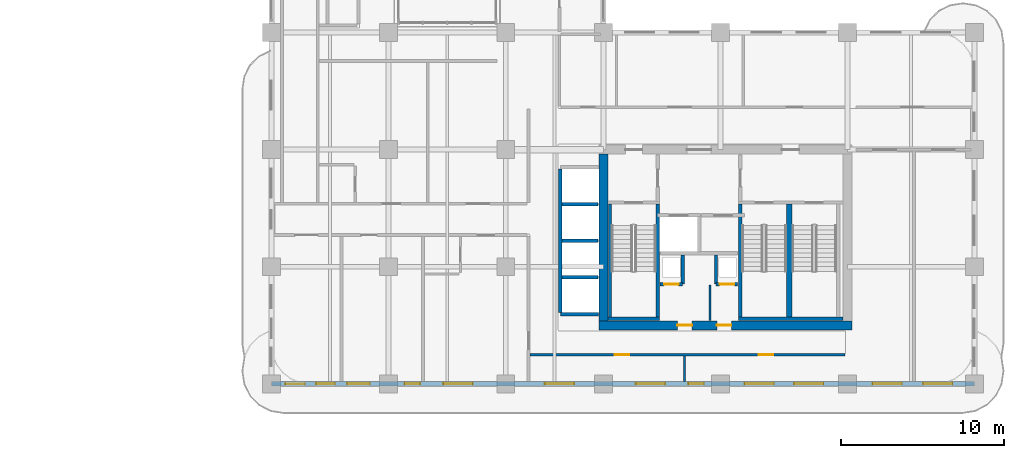
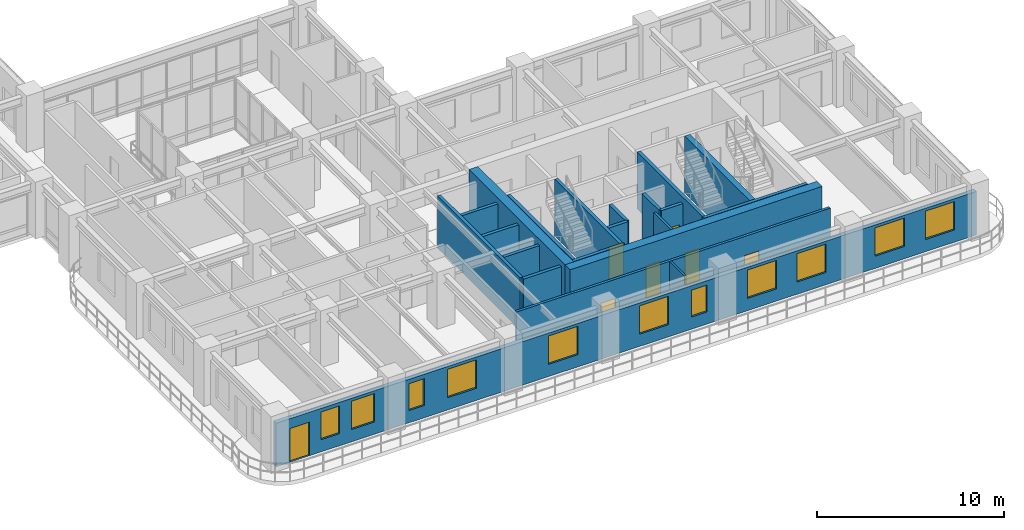
# One storey, part 10 of 19: 21 walls, 11 windows, 7 doors, 18 openings.
"""IFC4 building model written with IfcOpenShell, lengths in metres."""

from ifc_helpers import new_model, si_unit, derived_unit, direction, frame, frame_2d, origin, place, context, subcontext, project, spatial, rectangle, extrude, source, transform, mapped, material, layer, layer_set, type_object, type_shapes, element, fill, save


model = new_model("IFC4")

# Units and contexts
model_context = context("Model", 3, precision=1e-05, world=origin(), true_north=direction((0.0, 1.0)))
body_context = subcontext(model_context, "Body", "Model", "MODEL_VIEW")
ifc_project = project(units=[si_unit("LENGTHUNIT", "METRE"), si_unit("AREAUNIT", "SQUARE_METRE"), si_unit("VOLUMEUNIT", "CUBIC_METRE"), si_unit("PLANEANGLEUNIT", "RADIAN"), si_unit("MASSUNIT", "GRAM", prefix="KILO"), si_unit("THERMODYNAMICTEMPERATUREUNIT", "KELVIN"), si_unit("POWERUNIT", "WATT"), derived_unit("THERMALTRANSMITTANCEUNIT", [(si_unit("POWERUNIT", "WATT"), 1), (si_unit("AREAUNIT", "SQUARE_METRE"), -1), (si_unit("THERMODYNAMICTEMPERATUREUNIT", "KELVIN"), -1)])], contexts=[model_context])

# Site, building, storey
site_placement = place(None, origin())
site = spatial("IfcSite", under=ifc_project, at=site_placement, CompositionType="ELEMENT")
building_placement = place(site_placement, origin())
building = spatial("IfcBuilding", under=site, at=building_placement, Name="Zahravan Archway Hotel and Residences", CompositionType="ELEMENT")
storey_placement = place(building_placement, frame((0.0, 0.0, 102.699951171875)))
storey = spatial("IfcBuildingStorey", under=building, at=storey_placement, Name="L25", CompositionType="ELEMENT", Elevation=102.699951171875)

# Wall, openings, doors
ifc_material_1 = material(Name="Concrete C70/85", Category="concrete")
ifc_layer_1 = layer(ifc_material_1, 0.550048828125, Name="Concrete C70/85", Category="concrete")
ifc_layer_set_1 = layer_set([ifc_layer_1], Name="Concrete C70/85")
wall_type_1 = type_object("IfcWallType", Name="CW-CORE-550", PredefinedType="SHEAR", material=ifc_layer_set_1)
wall_1_placement = place(storey_placement, frame((34.52490234375, 3.60009765625, 0.0), z_axis=(0.0, 0.0, 1.0), x_axis=(1.0, 0.0, 0.0)))
wall_1 = element("IfcWall", 1, at=wall_1_placement, inside=storey, type_object=wall_type_1, Name="L25 Core A Shear S Wall 550 mm", PredefinedType="SHEAR", context=body_context, shape_type="SweptSolid", body=[
    extrude(rectangle(XDim=15.550048828125, YDim=0.550048828125, at=frame_2d((7.77490234375, 0.0))), origin(), (0.0, 0.0, 1.0), 3.699951171875),
])
opening_1_placement = place(wall_1_placement, frame((4.824951171875, 0.0, 0.0)))
opening_1 = element("IfcOpeningElement", 2, at=opening_1_placement, cuts=wall_1, Name="Opening FD-R1", PredefinedType="OPENING", context=body_context, shape_type="SweptSolid", body=[
    extrude(rectangle(XDim=0.89990234375, YDim=2.10009765625, at=frame_2d((0.449951171875, 1.050048828125))), frame((0.0, 0.28515625, 0.0), z_axis=(0.0, -1.0, 0.0), x_axis=(1.0, 0.0, 0.0)), (0.0, 0.0, 1.0), 0.570068359375),
])
opening_2_placement = place(wall_1_placement, frame((7.2451171875, 0.0, 0.0)))
opening_2 = element("IfcOpeningElement", 3, at=opening_2_placement, cuts=wall_1, Name="Opening FD-R1", PredefinedType="OPENING", context=body_context, shape_type="SweptSolid", body=[
    extrude(rectangle(XDim=0.89990234375, YDim=2.10009765625, at=frame_2d((0.449951171875, 1.050048828125))), frame((0.0, 0.28515625, 0.0), z_axis=(0.0, -1.0, 0.0), x_axis=(1.0, 0.0, 0.0)), (0.0, 0.0, 1.0), 0.570068359375),
])
ifc_material_2 = material(Name="Fire-Rated Painted Steel", Category="steel")
door_type_1 = type_object("IfcDoorType", Name="FD-RISER-900", OperationType="NOTDEFINED", PredefinedType="DOOR", material=ifc_material_2)
shared_shape_1 = source(origin(), body_context, "Body", "SweptSolid", [
    extrude(rectangle(XDim=0.89990234375, YDim=2.10009765625, at=frame_2d((0.449951171875, 1.050048828125))), frame((0.0, 0.02490234375, 0.0), z_axis=(0.0, -1.0, 0.0), x_axis=(1.0, 0.0, 0.0)), (0.0, 0.0, 1.0), 0.050048828125),
])
type_shapes(door_type_1, [shared_shape_1])
door_1_placement = place(opening_1_placement, origin())
door_1 = element("IfcDoor", 4, at=door_1_placement, inside=storey, type_object=door_type_1, Name="L25 Service Pantry Door", OperationType="SINGLE_SWING_LEFT", OverallHeight=2.10009765625, OverallWidth=0.89990234375, PredefinedType="DOOR", context=body_context, shape_type="MappedRepresentation", body=[
    mapped(shared_shape_1, transform((0.0, 0.0, 0.0), scale=1.0)),
])
fill(opening_1, door_1)
door_2_placement = place(opening_2_placement, origin())
door_2 = element("IfcDoor", 5, at=door_2_placement, inside=storey, type_object=door_type_1, Name="L25 Fibre ELV Riser Door", OperationType="SINGLE_SWING_RIGHT", OverallHeight=2.10009765625, OverallWidth=0.89990234375, PredefinedType="DOOR", context=body_context, shape_type="MappedRepresentation", body=[
    mapped(shared_shape_1, transform((0.0, 0.0, 0.0), scale=1.0)),
])
fill(opening_2, door_2)

# Wall
wall_2_placement = place(storey_placement, frame((34.800048828125, 3.875, 0.0), z_axis=(0.0, 0.0, 1.0), x_axis=(0.0, 1.0, 0.0)))
element("IfcWall", 6, at=wall_2_placement, inside=storey, type_object=wall_type_1, Name="L25 Core A Shear W Wall 550 mm", PredefinedType="SHEAR", context=body_context, shape_type="SweptSolid", body=[
    extrude(rectangle(XDim=10.25, YDim=0.550048828125, at=frame_2d((5.125, 0.0))), origin(), (0.0, 0.0, 1.0), 3.699951171875),
])

# Wall, openings, door, windows
ifc_material_3 = material(Name="Honed Red-Ochre Sandstone & Insulated Block", Category="masonry")
ifc_layer_2 = layer(ifc_material_3, 0.280029296875, Name="Honed Red-Ochre Sandstone & Insulated Block", Category="masonry")
ifc_layer_set_2 = layer_set([ifc_layer_2], Name="Honed Red-Ochre Sandstone & Insulated Block")
wall_type_2 = type_object("IfcWallType", Name="EW-LOG-280", PredefinedType="SOLIDWALL", material=ifc_layer_set_2)
wall_3_placement = place(storey_placement, frame((14.39990234375, 0.0, 0.0), z_axis=(0.0, 0.0, 1.0), x_axis=(1.0, 0.0, 0.0)))
wall_3 = element("IfcWall", 7, at=wall_3_placement, inside=storey, type_object=wall_type_2, Name="L25 Exterior Sandstone Wall WA-S", PredefinedType="SOLIDWALL", context=body_context, shape_type="SweptSolid", body=[
    extrude(rectangle(XDim=43.2001953125, YDim=0.280029296875, at=frame_2d((21.60009765625, 0.0))), origin(), (0.0, 0.0, 1.0), 2.8349609375),
])
opening_3_placement = place(wall_3_placement, frame((0.85009765625, 0.0, 0.0)))
opening_3 = element("IfcOpeningElement", 8, at=opening_3_placement, cuts=wall_3, Name="Opening ED-BL1", PredefinedType="OPENING", context=body_context, shape_type="SweptSolid", body=[
    extrude(rectangle(XDim=1.199951171875, YDim=2.199951171875, at=frame_2d((0.60009765625, 1.10009765625))), frame((0.0, 0.14990234375, 0.0), z_axis=(0.0, -1.0, 0.0), x_axis=(1.0, 0.0, 0.0)), (0.0, 0.0, 1.0), 0.300048828125),
])
opening_4_placement = place(wall_3_placement, frame((2.74609375, 0.0, 0.800048828125)))
opening_4 = element("IfcOpeningElement", 9, at=opening_4_placement, cuts=wall_3, Name="Opening W-05", PredefinedType="OPENING", context=body_context, shape_type="SweptSolid", body=[
    extrude(rectangle(XDim=1.14990234375, YDim=1.800048828125, at=frame_2d((0.574951171875, 0.89990234375))), frame((0.0, 0.14990234375, 0.0), z_axis=(0.0, -1.0, 0.0), x_axis=(1.0, 0.0, 0.0)), (0.0, 0.0, 1.0), 0.300048828125),
])
opening_5_placement = place(wall_3_placement, frame((4.654052734375, 0.0, 0.800048828125)))
opening_5 = element("IfcOpeningElement", 10, at=opening_5_placement, cuts=wall_3, Name="Opening W-03", PredefinedType="OPENING", context=body_context, shape_type="SweptSolid", body=[
    extrude(rectangle(XDim=1.39990234375, YDim=1.85009765625, at=frame_2d((0.699951171875, 0.925048828125))), frame((0.0, 0.14990234375, 0.0), z_axis=(0.0, -1.0, 0.0), x_axis=(1.0, 0.0, 0.0)), (0.0, 0.0, 1.0), 0.300048828125),
])
opening_6_placement = place(wall_3_placement, frame((8.180908203125, 0.0, 0.800048828125)))
opening_6 = element("IfcOpeningElement", 11, at=opening_6_placement, cuts=wall_3, Name="Opening W-04", PredefinedType="OPENING", context=body_context, shape_type="SweptSolid", body=[
    extrude(rectangle(XDim=0.949951171875, YDim=1.75, at=frame_2d((0.47509765625, 0.875))), frame((0.0, 0.14990234375, 0.0), z_axis=(0.0, -1.0, 0.0), x_axis=(1.0, 0.0, 0.0)), (0.0, 0.0, 1.0), 0.300048828125),
])
opening_7_placement = place(wall_3_placement, frame((10.56396484375, 0.0, 0.800048828125)))
opening_7 = element("IfcOpeningElement", 12, at=opening_7_placement, cuts=wall_3, Name="Opening W-02", PredefinedType="OPENING", context=body_context, shape_type="SweptSolid", body=[
    extrude(rectangle(XDim=1.800048828125, YDim=1.85009765625, at=frame_2d((0.89990234375, 0.925048828125))), frame((0.0, 0.14990234375, 0.0), z_axis=(0.0, -1.0, 0.0), x_axis=(1.0, 0.0, 0.0)), (0.0, 0.0, 1.0), 0.300048828125),
])
opening_8_placement = place(wall_3_placement, frame((16.803955078125, 0.0, 0.800048828125)))
opening_8 = element("IfcOpeningElement", 13, at=opening_8_placement, cuts=wall_3, Name="Opening W-02", PredefinedType="OPENING", context=body_context, shape_type="SweptSolid", body=[
    extrude(rectangle(XDim=1.800048828125, YDim=1.85009765625, at=frame_2d((0.89990234375, 0.925048828125))), frame((0.0, 0.14990234375, 0.0), z_axis=(0.0, -1.0, 0.0), x_axis=(1.0, 0.0, 0.0)), (0.0, 0.0, 1.0), 0.300048828125),
])
opening_9_placement = place(wall_3_placement, frame((22.39599609375, 0.0, 0.800048828125)))
opening_9 = element("IfcOpeningElement", 14, at=opening_9_placement, cuts=wall_3, Name="Opening W-02", PredefinedType="OPENING", context=body_context, shape_type="SweptSolid", body=[
    extrude(rectangle(XDim=1.800048828125, YDim=1.85009765625, at=frame_2d((0.89990234375, 0.925048828125))), frame((0.0, 0.14990234375, 0.0), z_axis=(0.0, -1.0, 0.0), x_axis=(1.0, 0.0, 0.0)), (0.0, 0.0, 1.0), 0.300048828125),
])
opening_10_placement = place(wall_3_placement, frame((25.62890625, 0.0, 0.800048828125)))
opening_10 = element("IfcOpeningElement", 15, at=opening_10_placement, cuts=wall_3, Name="Opening W-04", PredefinedType="OPENING", context=body_context, shape_type="SweptSolid", body=[
    extrude(rectangle(XDim=0.949951171875, YDim=1.75, at=frame_2d((0.47509765625, 0.875))), frame((0.0, 0.14990234375, 0.0), z_axis=(0.0, -1.0, 0.0), x_axis=(1.0, 0.0, 0.0)), (0.0, 0.0, 1.0), 0.300048828125),
])
opening_11_placement = place(wall_3_placement, frame((29.074951171875, 0.0, 0.800048828125)))
opening_11 = element("IfcOpeningElement", 16, at=opening_11_placement, cuts=wall_3, Name="Opening W-02", PredefinedType="OPENING", context=body_context, shape_type="SweptSolid", body=[
    extrude(rectangle(XDim=1.800048828125, YDim=1.85009765625, at=frame_2d((0.89990234375, 0.925048828125))), frame((0.0, 0.14990234375, 0.0), z_axis=(0.0, -1.0, 0.0), x_axis=(1.0, 0.0, 0.0)), (0.0, 0.0, 1.0), 0.300048828125),
])
opening_12_placement = place(wall_3_placement, frame((32.125, 0.0, 0.800048828125)))
opening_12 = element("IfcOpeningElement", 17, at=opening_12_placement, cuts=wall_3, Name="Opening W-02", PredefinedType="OPENING", context=body_context, shape_type="SweptSolid", body=[
    extrude(rectangle(XDim=1.800048828125, YDim=1.85009765625, at=frame_2d((0.89990234375, 0.925048828125))), frame((0.0, 0.14990234375, 0.0), z_axis=(0.0, -1.0, 0.0), x_axis=(1.0, 0.0, 0.0)), (0.0, 0.0, 1.0), 0.300048828125),
])
opening_13_placement = place(wall_3_placement, frame((36.946044921875, 0.0, 0.800048828125)))
opening_13 = element("IfcOpeningElement", 18, at=opening_13_placement, cuts=wall_3, Name="Opening W-02", PredefinedType="OPENING", context=body_context, shape_type="SweptSolid", body=[
    extrude(rectangle(XDim=1.800048828125, YDim=1.85009765625, at=frame_2d((0.89990234375, 0.925048828125))), frame((0.0, 0.14990234375, 0.0), z_axis=(0.0, -1.0, 0.0), x_axis=(1.0, 0.0, 0.0)), (0.0, 0.0, 1.0), 0.300048828125),
])
opening_14_placement = place(wall_3_placement, frame((40.053955078125, 0.0, 0.800048828125)))
opening_14 = element("IfcOpeningElement", 19, at=opening_14_placement, cuts=wall_3, Name="Opening W-02", PredefinedType="OPENING", context=body_context, shape_type="SweptSolid", body=[
    extrude(rectangle(XDim=1.800048828125, YDim=1.85009765625, at=frame_2d((0.89990234375, 0.925048828125))), frame((0.0, 0.14990234375, 0.0), z_axis=(0.0, -1.0, 0.0), x_axis=(1.0, 0.0, 0.0)), (0.0, 0.0, 1.0), 0.300048828125),
])
ifc_material_4 = material(Name="Bronze-Anodized Glazed Aluminium", Category="aluminium")
door_type_2 = type_object("IfcDoorType", Name="ED-BALC-1200", OperationType="SLIDING_TO_LEFT", PredefinedType="DOOR", material=ifc_material_4)
shared_shape_2 = source(origin(), body_context, "Body", "SweptSolid", [
    extrude(rectangle(XDim=1.199951171875, YDim=2.199951171875, at=frame_2d((0.60009765625, 1.10009765625))), frame((0.0, 0.02490234375, 0.0), z_axis=(0.0, -1.0, 0.0), x_axis=(1.0, 0.0, 0.0)), (0.0, 0.0, 1.0), 0.050048828125),
])
type_shapes(door_type_2, [shared_shape_2])
door_3_placement = place(opening_3_placement, origin())
door_3 = element("IfcDoor", 20, at=door_3_placement, inside=storey, type_object=door_type_2, Name="L25 Outdoor Access Sliding Door (SLB-BAL-L25-SA)", OperationType="SLIDING_TO_LEFT", OverallHeight=2.199951171875, OverallWidth=1.199951171875, PredefinedType="DOOR", context=body_context, shape_type="MappedRepresentation", body=[
    mapped(shared_shape_2, transform((0.0, 0.0, 0.0), scale=1.0)),
])
fill(opening_3, door_3)
ifc_material_5 = material(Name="Bronze-Anodized Thermal-Break Aluminium & Low-E Glass", Category="aluminium")
window_type_1 = type_object("IfcWindowType", Name="WIN-TWR-1400", PartitioningType="SINGLE_PANEL", PredefinedType="WINDOW", material=ifc_material_5)
shared_shape_3 = source(origin(), body_context, "Body", "SweptSolid", [
    extrude(rectangle(XDim=1.39990234375, YDim=1.85009765625, at=frame_2d((0.699951171875, 0.925048828125))), frame((0.0, 0.030029296875, 0.0), z_axis=(0.0, -1.0, 0.0), x_axis=(1.0, 0.0, 0.0)), (0.0, 0.0, 1.0), 0.06005859375),
])
type_shapes(window_type_1, [shared_shape_3])
window_1_placement = place(opening_5_placement, origin())
window_1 = element("IfcWindow", 21, at=window_1_placement, inside=storey, type_object=window_type_1, Name="L25 Loggia Window 02", OverallHeight=1.85009765625, OverallWidth=1.39990234375, PartitioningType="SINGLE_PANEL", PredefinedType="WINDOW", context=body_context, shape_type="MappedRepresentation", body=[
    mapped(shared_shape_3, transform((0.0, 0.0, 0.0), scale=1.0)),
])
fill(opening_5, window_1)
window_type_2 = type_object("IfcWindowType", Name="WIN-NAR-950", PartitioningType="SINGLE_PANEL", PredefinedType="WINDOW", material=ifc_material_5)
shared_shape_4 = source(origin(), body_context, "Body", "SweptSolid", [
    extrude(rectangle(XDim=0.949951171875, YDim=1.75, at=frame_2d((0.47509765625, 0.875))), frame((0.0, 0.030029296875, 0.0), z_axis=(0.0, -1.0, 0.0), x_axis=(1.0, 0.0, 0.0)), (0.0, 0.0, 1.0), 0.06005859375),
])
type_shapes(window_type_2, [shared_shape_4])
window_2_placement = place(opening_6_placement, origin())
window_2 = element("IfcWindow", 22, at=window_2_placement, inside=storey, type_object=window_type_2, Name="L25 Loggia Window 03", OverallHeight=1.75, OverallWidth=0.949951171875, PartitioningType="SINGLE_PANEL", PredefinedType="WINDOW", context=body_context, shape_type="MappedRepresentation", body=[
    mapped(shared_shape_4, transform((0.0, 0.0, 0.0), scale=1.0)),
])
fill(opening_6, window_2)
window_3_placement = place(opening_10_placement, origin())
window_3 = element("IfcWindow", 23, at=window_3_placement, inside=storey, type_object=window_type_2, Name="L25 Loggia Window 07", OverallHeight=1.75, OverallWidth=0.949951171875, PartitioningType="SINGLE_PANEL", PredefinedType="WINDOW", context=body_context, shape_type="MappedRepresentation", body=[
    mapped(shared_shape_4, transform((0.0, 0.0, 0.0), scale=1.0)),
])
fill(opening_10, window_3)
window_type_3 = type_object("IfcWindowType", Name="WIN-TWR-1800", PartitioningType="DOUBLE_PANEL_VERTICAL", PredefinedType="WINDOW", material=ifc_material_5)
shared_shape_5 = source(origin(), body_context, "Body", "SweptSolid", [
    extrude(rectangle(XDim=1.800048828125, YDim=1.85009765625, at=frame_2d((0.89990234375, 0.925048828125))), frame((0.0, 0.030029296875, 0.0), z_axis=(0.0, -1.0, 0.0), x_axis=(1.0, 0.0, 0.0)), (0.0, 0.0, 1.0), 0.06005859375),
])
type_shapes(window_type_3, [shared_shape_5])
window_4_placement = place(opening_7_placement, origin())
window_4 = element("IfcWindow", 24, at=window_4_placement, inside=storey, type_object=window_type_3, Name="L25 Loggia Window 04", OverallHeight=1.85009765625, OverallWidth=1.800048828125, PartitioningType="DOUBLE_PANEL_VERTICAL", PredefinedType="WINDOW", context=body_context, shape_type="MappedRepresentation", body=[
    mapped(shared_shape_5, transform((0.0, 0.0, 0.0), scale=1.0)),
])
fill(opening_7, window_4)
window_5_placement = place(opening_8_placement, origin())
window_5 = element("IfcWindow", 25, at=window_5_placement, inside=storey, type_object=window_type_3, Name="L25 Loggia Window 05", OverallHeight=1.85009765625, OverallWidth=1.800048828125, PartitioningType="DOUBLE_PANEL_VERTICAL", PredefinedType="WINDOW", context=body_context, shape_type="MappedRepresentation", body=[
    mapped(shared_shape_5, transform((0.0, 0.0, 0.0), scale=1.0)),
])
fill(opening_8, window_5)
window_6_placement = place(opening_9_placement, origin())
window_6 = element("IfcWindow", 26, at=window_6_placement, inside=storey, type_object=window_type_3, Name="L25 Loggia Window 06", OverallHeight=1.85009765625, OverallWidth=1.800048828125, PartitioningType="DOUBLE_PANEL_VERTICAL", PredefinedType="WINDOW", context=body_context, shape_type="MappedRepresentation", body=[
    mapped(shared_shape_5, transform((0.0, 0.0, 0.0), scale=1.0)),
])
fill(opening_9, window_6)
window_7_placement = place(opening_11_placement, origin())
window_7 = element("IfcWindow", 27, at=window_7_placement, inside=storey, type_object=window_type_3, Name="L25 Loggia Window 08", OverallHeight=1.85009765625, OverallWidth=1.800048828125, PartitioningType="DOUBLE_PANEL_VERTICAL", PredefinedType="WINDOW", context=body_context, shape_type="MappedRepresentation", body=[
    mapped(shared_shape_5, transform((0.0, 0.0, 0.0), scale=1.0)),
])
fill(opening_11, window_7)
window_8_placement = place(opening_12_placement, origin())
window_8 = element("IfcWindow", 28, at=window_8_placement, inside=storey, type_object=window_type_3, Name="L25 Loggia Window 09", OverallHeight=1.85009765625, OverallWidth=1.800048828125, PartitioningType="DOUBLE_PANEL_VERTICAL", PredefinedType="WINDOW", context=body_context, shape_type="MappedRepresentation", body=[
    mapped(shared_shape_5, transform((0.0, 0.0, 0.0), scale=1.0)),
])
fill(opening_12, window_8)
window_9_placement = place(opening_13_placement, origin())
window_9 = element("IfcWindow", 29, at=window_9_placement, inside=storey, type_object=window_type_3, Name="L25 Loggia Window 10", OverallHeight=1.85009765625, OverallWidth=1.800048828125, PartitioningType="DOUBLE_PANEL_VERTICAL", PredefinedType="WINDOW", context=body_context, shape_type="MappedRepresentation", body=[
    mapped(shared_shape_5, transform((0.0, 0.0, 0.0), scale=1.0)),
])
fill(opening_13, window_9)
window_10_placement = place(opening_14_placement, origin())
window_10 = element("IfcWindow", 30, at=window_10_placement, inside=storey, type_object=window_type_3, Name="L25 Loggia Window 11", OverallHeight=1.85009765625, OverallWidth=1.800048828125, PartitioningType="DOUBLE_PANEL_VERTICAL", PredefinedType="WINDOW", context=body_context, shape_type="MappedRepresentation", body=[
    mapped(shared_shape_5, transform((0.0, 0.0, 0.0), scale=1.0)),
])
fill(opening_14, window_10)
window_type_4 = type_object("IfcWindowType", Name="WIN-TWR-1150", PartitioningType="SINGLE_PANEL", PredefinedType="WINDOW", material=ifc_material_5)
shared_shape_6 = source(origin(), body_context, "Body", "SweptSolid", [
    extrude(rectangle(XDim=1.14990234375, YDim=1.800048828125, at=frame_2d((0.574951171875, 0.89990234375))), frame((0.0, 0.030029296875, 0.0), z_axis=(0.0, -1.0, 0.0), x_axis=(1.0, 0.0, 0.0)), (0.0, 0.0, 1.0), 0.06005859375),
])
type_shapes(window_type_4, [shared_shape_6])
window_11_placement = place(opening_4_placement, origin())
window_11 = element("IfcWindow", 31, at=window_11_placement, inside=storey, type_object=window_type_4, Name="L25 Loggia Window 01", OverallHeight=1.800048828125, OverallWidth=1.14990234375, PartitioningType="SINGLE_PANEL", PredefinedType="WINDOW", context=body_context, shape_type="MappedRepresentation", body=[
    mapped(shared_shape_6, transform((0.0, 0.0, 0.0), scale=1.0)),
])
fill(opening_4, window_11)

# Wall, openings, doors
ifc_material_6 = material(Name="Fire-Rated Gypsum & Concrete Block", Category="concrete")
ifc_layer_3 = layer(ifc_material_6, 0.159912109375, Name="Fire-Rated Gypsum & Concrete Block", Category="concrete")
ifc_layer_set_3 = layer_set([ifc_layer_3], Name="Fire-Rated Gypsum & Concrete Block")
wall_type_3 = type_object("IfcWallType", Name="PW-CORR-160", PredefinedType="PARTITIONING", material=ifc_layer_set_3)
wall_4_placement = place(storey_placement, frame((30.2900390625, 1.800048828125, 0.0), z_axis=(0.0, 0.0, 1.0), x_axis=(1.0, 0.0, 0.0)))
wall_4 = element("IfcWall", 32, at=wall_4_placement, inside=storey, type_object=wall_type_3, Name="L25 Partition WA-SRS", PredefinedType="PARTITIONING", context=body_context, shape_type="SweptSolid", body=[
    extrude(rectangle(XDim=19.369873046875, YDim=0.159912109375, at=frame_2d((9.68505859375, 0.0))), origin(), (0.0, 0.0, 1.0), 3.400146484375),
])
opening_15_placement = place(wall_4_placement, frame((5.213134765625, 0.0, 0.0)))
opening_15 = element("IfcOpeningElement", 33, at=opening_15_placement, cuts=wall_4, Name="Opening D-I2", PredefinedType="OPENING", context=body_context, shape_type="SweptSolid", body=[
    extrude(rectangle(XDim=0.89990234375, YDim=2.14990234375, at=frame_2d((0.449951171875, 1.074951171875))), frame((0.0, 0.08984375, 0.0), z_axis=(0.0, -1.0, 0.0), x_axis=(1.0, 0.0, 0.0)), (0.0, 0.0, 1.0), 0.179931640625),
])
opening_16_placement = place(wall_4_placement, frame((14.06005859375, 0.0, 0.0)))
opening_16 = element("IfcOpeningElement", 34, at=opening_16_placement, cuts=wall_4, Name="Opening D-I2", PredefinedType="OPENING", context=body_context, shape_type="SweptSolid", body=[
    extrude(rectangle(XDim=0.89990234375, YDim=2.14990234375, at=frame_2d((0.449951171875, 1.074951171875))), frame((0.0, 0.08984375, 0.0), z_axis=(0.0, -1.0, 0.0), x_axis=(1.0, 0.0, 0.0)), (0.0, 0.0, 1.0), 0.179931640625),
])
ifc_material_7 = material(Name="Hardwood Veneer Timber", Category="wood")
door_type_3 = type_object("IfcDoorType", Name="ID-INT-900", OperationType="NOTDEFINED", PredefinedType="DOOR", material=ifc_material_7)
shared_shape_7 = source(origin(), body_context, "Body", "SweptSolid", [
    extrude(rectangle(XDim=0.89990234375, YDim=2.14990234375, at=frame_2d((0.449951171875, 1.074951171875))), frame((0.0, 0.02490234375, 0.0), z_axis=(0.0, -1.0, 0.0), x_axis=(1.0, 0.0, 0.0)), (0.0, 0.0, 1.0), 0.050048828125),
])
type_shapes(door_type_3, [shared_shape_7])
door_4_placement = place(opening_15_placement, origin())
door_4 = element("IfcDoor", 35, at=door_4_placement, inside=storey, type_object=door_type_3, Name="L25 South Study Door", OperationType="SINGLE_SWING_LEFT", OverallHeight=2.14990234375, OverallWidth=0.89990234375, PredefinedType="DOOR", context=body_context, shape_type="MappedRepresentation", body=[
    mapped(shared_shape_7, transform((0.0, 0.0, 0.0), scale=1.0)),
])
fill(opening_15, door_4)
door_5_placement = place(opening_16_placement, origin())
door_5 = element("IfcDoor", 36, at=door_5_placement, inside=storey, type_object=door_type_3, Name="L25 South Pantry Door", OperationType="SINGLE_SWING_RIGHT", OverallHeight=2.14990234375, OverallWidth=0.89990234375, PredefinedType="DOOR", context=body_context, shape_type="MappedRepresentation", body=[
    mapped(shared_shape_7, transform((0.0, 0.0, 0.0), scale=1.0)),
])
fill(opening_16, door_5)

# Wall
ifc_material_8 = material(Name="Acoustic Stud Partition")
ifc_layer_4 = layer(ifc_material_8, 0.125, Name="Acoustic Stud Partition")
ifc_layer_set_4 = layer_set([ifc_layer_4], Name="Acoustic Stud Partition")
wall_type_4 = type_object("IfcWallType", Name="PW-INT-125", PredefinedType="PARTITIONING", material=ifc_layer_set_4)
wall_5_placement = place(storey_placement, frame((39.800048828125, 0.14794921875, 0.0), z_axis=(0.0, 0.0, 1.0), x_axis=(0.0, 1.0, 0.0)))
element("IfcWall", 37, at=wall_5_placement, inside=storey, type_object=wall_type_4, Name="L25 Partition S-DIV1", PredefinedType="PARTITIONING", context=body_context, shape_type="SweptSolid", body=[
    extrude(rectangle(XDim=1.56201171875, YDim=0.125, at=frame_2d((0.781005859375, 0.0))), origin(), (0.0, 0.0, 1.0), 3.400146484375),
])

# Wall, opening, door
ifc_layer_5 = layer(ifc_material_6, 0.199951171875, Name="Fire-Rated Gypsum & Concrete Block", Category="concrete")
ifc_layer_set_5 = layer_set([ifc_layer_5], Name="Fire-Rated Gypsum & Concrete Block")
wall_type_5 = type_object("IfcWallType", Name="PW-SHAFT-200", PredefinedType="PARTITIONING", material=ifc_layer_set_5)
wall_6_placement = place(storey_placement, frame((38.2900390625, 6.1201171875, 0.0), z_axis=(0.0, 0.0, 1.0), x_axis=(1.0, 0.0, 0.0)))
wall_6 = element("IfcWall", 38, at=wall_6_placement, inside=storey, type_object=wall_type_5, Name="L25 Partition CA-SMKS", PredefinedType="PARTITIONING", context=body_context, shape_type="SweptSolid", body=[
    extrude(rectangle(XDim=1.3798828125, YDim=0.199951171875, at=frame_2d((0.68994140625, 0.0))), origin(), (0.0, 0.0, 1.0), 3.400146484375),
])
opening_17_placement = place(wall_6_placement, frame((0.239990234375, 0.0, 0.0)))
opening_17 = element("IfcOpeningElement", 39, at=opening_17_placement, cuts=wall_6, Name="Opening FD-R1", PredefinedType="OPENING", context=body_context, shape_type="SweptSolid", body=[
    extrude(rectangle(XDim=0.89990234375, YDim=2.10009765625, at=frame_2d((0.449951171875, 1.050048828125))), frame((0.0, 0.10986328125, 0.0), z_axis=(0.0, -1.0, 0.0), x_axis=(1.0, 0.0, 0.0)), (0.0, 0.0, 1.0), 0.219970703125),
])
door_6_placement = place(opening_17_placement, origin())
door_6 = element("IfcDoor", 40, at=door_6_placement, inside=storey, type_object=door_type_1, Name="L25 Smoke Riser Access Door", OperationType="SINGLE_SWING_LEFT", OverallHeight=2.10009765625, OverallWidth=0.89990234375, PredefinedType="DOOR", context=body_context, shape_type="MappedRepresentation", body=[
    mapped(shared_shape_1, transform((0.0, 0.0, 0.0), scale=1.0)),
])
fill(opening_17, door_6)

# Wall
wall_7_placement = place(storey_placement, frame((39.679931640625, 6.1298828125, 0.0), z_axis=(0.0, 0.0, 1.0), x_axis=(0.0, 1.0, 0.0)))
element("IfcWall", 41, at=wall_7_placement, inside=storey, type_object=wall_type_5, Name="L25 Partition CA-SMKE", PredefinedType="PARTITIONING", context=body_context, shape_type="SweptSolid", body=[
    extrude(rectangle(XDim=1.7900390625, YDim=0.199951171875, at=frame_2d((0.89501953125, 0.0))), origin(), (0.0, 0.0, 1.0), 3.400146484375),
])

# Wall, opening, door
wall_8_placement = place(storey_placement, frame((41.72998046875, 6.1201171875, 0.0), z_axis=(0.0, 0.0, 1.0), x_axis=(1.0, 0.0, 0.0)))
wall_8 = element("IfcWall", 42, at=wall_8_placement, inside=storey, type_object=wall_type_5, Name="L25 Partition CA-MEPS", PredefinedType="PARTITIONING", context=body_context, shape_type="SweptSolid", body=[
    extrude(rectangle(XDim=1.320068359375, YDim=0.199951171875, at=frame_2d((0.66015625, 0.0))), origin(), (0.0, 0.0, 1.0), 3.400146484375),
])
opening_18_placement = place(wall_8_placement, frame((0.219970703125, 0.0, 0.0)))
opening_18 = element("IfcOpeningElement", 43, at=opening_18_placement, cuts=wall_8, Name="Opening FD-R1", PredefinedType="OPENING", context=body_context, shape_type="SweptSolid", body=[
    extrude(rectangle(XDim=0.89990234375, YDim=2.10009765625, at=frame_2d((0.449951171875, 1.050048828125))), frame((0.0, 0.10986328125, 0.0), z_axis=(0.0, -1.0, 0.0), x_axis=(1.0, 0.0, 0.0)), (0.0, 0.0, 1.0), 0.219970703125),
])
door_7_placement = place(opening_18_placement, origin())
door_7 = element("IfcDoor", 44, at=door_7_placement, inside=storey, type_object=door_type_1, Name="L25 MEP Riser Access Door", OperationType="SINGLE_SWING_RIGHT", OverallHeight=2.10009765625, OverallWidth=0.89990234375, PredefinedType="DOOR", context=body_context, shape_type="MappedRepresentation", body=[
    mapped(shared_shape_1, transform((0.0, 0.0, 0.0), scale=1.0)),
])
fill(opening_18, door_7)

# Walls
wall_9_placement = place(storey_placement, frame((41.719970703125, 6.1298828125, 0.0), z_axis=(0.0, 0.0, 1.0), x_axis=(0.0, 1.0, 0.0)))
element("IfcWall", 45, at=wall_9_placement, inside=storey, type_object=wall_type_5, Name="L25 Partition CA-MEPW", PredefinedType="PARTITIONING", context=body_context, shape_type="SweptSolid", body=[
    extrude(rectangle(XDim=1.7900390625, YDim=0.199951171875, at=frame_2d((0.89501953125, 0.0))), origin(), (0.0, 0.0, 1.0), 3.400146484375),
])
wall_10_placement = place(storey_placement, frame((32.159912109375, 4.280029296875, 0.0), z_axis=(0.0, 0.0, 1.0), x_axis=(1.0, 0.0, 0.0)))
element("IfcWall", 46, at=wall_10_placement, inside=storey, type_object=wall_type_5, Name="L25 Partition B3-S", PredefinedType="PARTITIONING", context=body_context, shape_type="SweptSolid", body=[
    extrude(rectangle(XDim=2.335205078125, YDim=0.199951171875, at=frame_2d((1.16748046875, 0.0))), origin(), (0.0, 0.0, 1.0), 3.400146484375),
])
wall_11_placement = place(storey_placement, frame((32.14990234375, 4.389892578125, 0.0), z_axis=(0.0, 0.0, 1.0), x_axis=(0.0, 1.0, 0.0)))
element("IfcWall", 47, at=wall_11_placement, inside=storey, type_object=wall_type_5, Name="L25 Partition B3-W", PredefinedType="PARTITIONING", context=body_context, shape_type="SweptSolid", body=[
    extrude(rectangle(XDim=8.820068359375, YDim=0.199951171875, at=frame_2d((4.41015625, 0.0))), origin(), (0.0, 0.0, 1.0), 3.400146484375),
])
for number, where, z_axis, x_axis, name in (
    (48, (32.260009765625, 6.56005859375, 0.0), (0.0, 0.0, 1.0), (1.0, 0.0, 0.0), "L25 Partition B3-D"),
    (49, (32.260009765625, 8.800048828125, 0.0), (0.0, 0.0, 1.0), (1.0, 0.0, 0.0), "L25 Partition B3-D"),
    (50, (32.260009765625, 11.0400390625, 0.0), (0.0, 0.0, 1.0), (1.0, 0.0, 0.0), "L25 Partition B3-D"),
):
    element("IfcWall", number, at=place(storey_placement, frame(where, z_axis=z_axis, x_axis=x_axis)), inside=storey, type_object=wall_type_5, Name=name, PredefinedType="PARTITIONING", context=body_context, shape_type="SweptSolid", body=[
        extrude(rectangle(XDim=2.205078125, YDim=0.199951171875, at=frame_2d((1.1025390625, 0.0))), origin(), (0.0, 0.0, 1.0), 3.400146484375),
    ])
ifc_material_9 = material(Name="Moisture-Resistant Blockwork", Category="masonry")
ifc_layer_6 = layer(ifc_material_9, 0.139892578125, Name="Moisture-Resistant Blockwork", Category="masonry")
ifc_layer_set_6 = layer_set([ifc_layer_6], Name="Moisture-Resistant Blockwork")
wall_type_6 = type_object("IfcWallType", Name="PW-WET-140", PredefinedType="PARTITIONING", material=ifc_layer_set_6)
wall_12_placement = place(storey_placement, frame((41.35009765625, 3.89501953125, 0.0), z_axis=(0.0, 0.0, 1.0), x_axis=(0.0, 1.0, 0.0)))
element("IfcWall", 51, at=wall_12_placement, inside=storey, type_object=wall_type_6, Name="L25 Partition CA-CV3", PredefinedType="PARTITIONING", context=body_context, shape_type="SweptSolid", body=[
    extrude(rectangle(XDim=2.18505859375, YDim=0.139892578125, at=frame_2d((1.092529296875, 0.0))), origin(), (0.0, 0.0, 1.0), 3.400146484375),
])
ifc_material_10 = material(Name="Concrete C50/60", Category="concrete")
ifc_layer_7 = layer(ifc_material_10, 0.199951171875, Name="Concrete C50/60", Category="concrete")
ifc_layer_set_7 = layer_set([ifc_layer_7], Name="Concrete C50/60")
wall_type_7 = type_object("IfcWallType", Name="SW-STAIR-200", PredefinedType="SHEAR", material=ifc_layer_set_7)
wall_13_placement = place(storey_placement, frame((35.074951171875, 4.0, 0.0), z_axis=(0.0, 0.0, 1.0), x_axis=(1.0, 0.0, 0.0)))
element("IfcWall", 52, at=wall_13_placement, inside=storey, type_object=wall_type_7, Name="L25 Stairwell RC Wall CA-SA1S", PredefinedType="SHEAR", context=body_context, shape_type="SweptSolid", body=[
    extrude(rectangle(XDim=3.1650390625, YDim=0.199951171875, at=frame_2d((1.58251953125, 0.0))), origin(), (0.0, 0.0, 1.0), 3.699951171875),
])
for number, where, z_axis, x_axis, name in (
    (53, (35.199951171875, 4.10009765625, 0.0), (0.0, 0.0, 1.0), (0.0, 1.0, 0.0), "L25 Stairwell RC Wall CA-SA1W"),
    (54, (38.139892578125, 4.10009765625, 0.0), (0.0, 0.0, 1.0), (0.0, 1.0, 0.0), "L25 Stairwell RC Wall CA-SA1E"),
):
    element("IfcWall", number, at=place(storey_placement, frame(where, z_axis=z_axis, x_axis=x_axis)), inside=storey, type_object=wall_type_7, Name=name, PredefinedType="SHEAR", context=body_context, shape_type="SweptSolid", body=[
        extrude(rectangle(XDim=6.949951171875, YDim=0.199951171875, at=frame_2d((3.47509765625, 0.0))), origin(), (0.0, 0.0, 1.0), 3.699951171875),
    ])
wall_14_placement = place(storey_placement, frame((43.1201171875, 4.0, 0.0), z_axis=(0.0, 0.0, 1.0), x_axis=(1.0, 0.0, 0.0)))
element("IfcWall", 55, at=wall_14_placement, inside=storey, type_object=wall_type_7, Name="L25 Stairwell RC Wall CA-SA23S", PredefinedType="SHEAR", context=body_context, shape_type="SweptSolid", body=[
    extrude(rectangle(XDim=6.40478515625, YDim=0.199951171875, at=frame_2d((3.202392578125, 0.0))), origin(), (0.0, 0.0, 1.0), 3.699951171875),
])
wall_15_placement = place(storey_placement, frame((43.219970703125, 4.10009765625, 0.0), z_axis=(0.0, 0.0, 1.0), x_axis=(0.0, 1.0, 0.0)))
element("IfcWall", 56, at=wall_15_placement, inside=storey, type_object=wall_type_7, Name="L25 Stairwell RC Wall CA-SA2W", PredefinedType="SHEAR", context=body_context, shape_type="SweptSolid", body=[
    extrude(rectangle(XDim=6.949951171875, YDim=0.199951171875, at=frame_2d((3.47509765625, 0.0))), origin(), (0.0, 0.0, 1.0), 3.699951171875),
])
ifc_layer_8 = layer(ifc_material_10, 0.340087890625, Name="Concrete C50/60", Category="concrete")
ifc_layer_set_8 = layer_set([ifc_layer_8], Name="Concrete C50/60")
wall_type_8 = type_object("IfcWallType", Name="SW-STAIR-340", PredefinedType="SHEAR", material=ifc_layer_set_8)
wall_16_placement = place(storey_placement, frame((46.22998046875, 4.10009765625, 0.0), z_axis=(0.0, 0.0, 1.0), x_axis=(0.0, 1.0, 0.0)))
element("IfcWall", 57, at=wall_16_placement, inside=storey, type_object=wall_type_8, Name="L25 Stairwell RC Wall CA-SA23M", PredefinedType="SHEAR", context=body_context, shape_type="SweptSolid", body=[
    extrude(rectangle(XDim=6.949951171875, YDim=0.340087890625, at=frame_2d((3.47509765625, 0.0))), origin(), (0.0, 0.0, 1.0), 3.699951171875),
])

save(model, "model.ifc")
